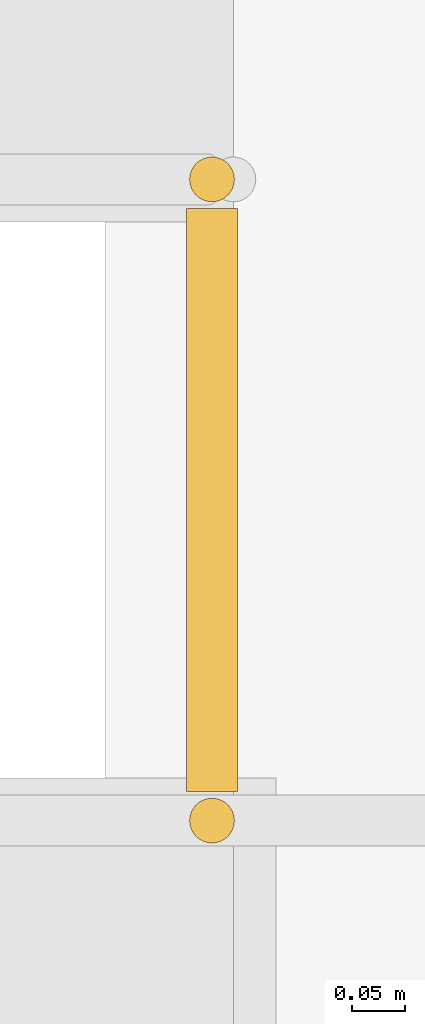
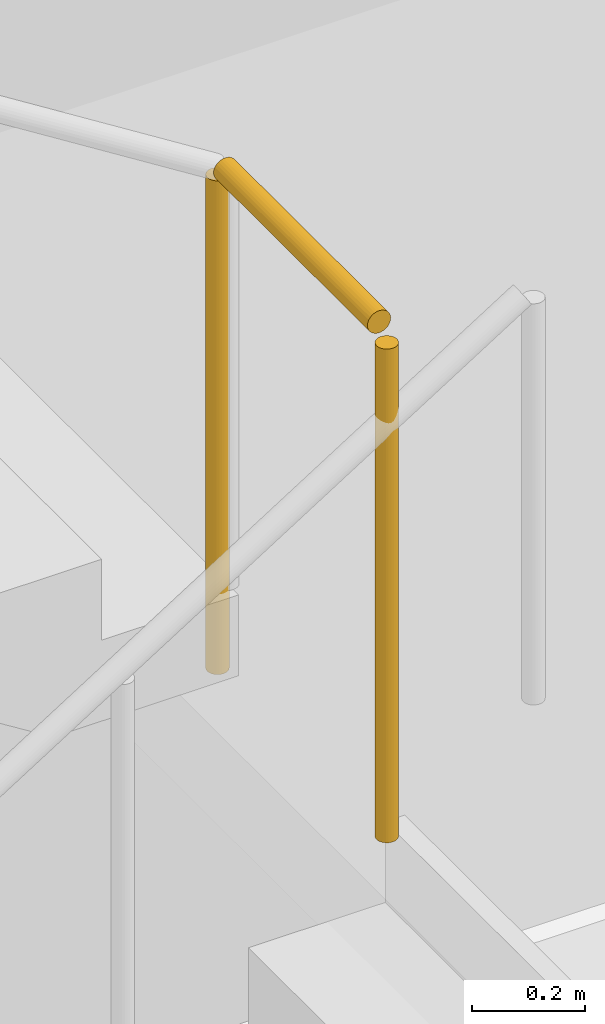
# One storey, part 133 of 138: 1 railing.
"""IFC4 building model written with IfcOpenShell, lengths in metres."""

from ifc_helpers import new_model, si_unit, direction, frame, origin, origin_2d, place, context, subcontext, project, spatial, circle, extrude, material, type_object, element, save


model = new_model("IFC4")

# Units and contexts
model_context = context("Model", 3, precision=1e-05, world=origin(), true_north=direction((0.0, 1.0)))
body_context = subcontext(model_context, "Body", "Model", "MODEL_VIEW")
ifc_project = project(units=[si_unit("LENGTHUNIT", "METRE"), si_unit("AREAUNIT", "SQUARE_METRE"), si_unit("VOLUMEUNIT", "CUBIC_METRE"), si_unit("PLANEANGLEUNIT", "RADIAN"), si_unit("MASSUNIT", "GRAM", prefix="KILO"), si_unit("THERMODYNAMICTEMPERATUREUNIT", "KELVIN"), si_unit("POWERUNIT", "WATT")], contexts=[model_context])

# Site, building, storey
site_placement = place(None, origin())
site = spatial("IfcSite", under=ifc_project, at=site_placement, CompositionType="ELEMENT")
building_placement = place(site_placement, origin())
building = spatial("IfcBuilding", under=site, at=building_placement, Name="Darbajah Civic Hall", CompositionType="ELEMENT")
storey_placement = place(building_placement, frame((0.0, 0.0, 9.60009765625)))
storey = spatial("IfcBuildingStorey", under=building, at=storey_placement, Name="L02", CompositionType="ELEMENT", Elevation=9.60009765625)

# Railing
ifc_material = material(Name="Brushed Bronze and Laminated Safety Glass", Category="glass")
railing_type = type_object("IfcRailingType", Name="Interior Guard Balustrade", PredefinedType="BALUSTRADE", material=ifc_material)
railing_placement = place(storey_placement, frame((82.5400390625, 64.39990234375, 2.099853515625)))
element("IfcRailing", 1, at=railing_placement, inside=storey, type_object=railing_type, Name="ST03 L02 landing well guard", PredefinedType="BALUSTRADE", context=body_context, shape_type="SweptSolid", body=[
    extrude(circle(Radius=0.02392578125, at=origin_2d()), frame((0.0, 0.02734375, 1.09619140625), z_axis=(0.0, 1.0, 0.0), x_axis=(-1.0, 0.0, 0.0)), (0.0, 0.0, 1.0), 0.54541015625),
    extrude(circle(Radius=0.02099609375, at=origin_2d()), origin(), (0.0, 0.0, 1.0), 1.068115234375),
    extrude(circle(Radius=0.02099609375, at=origin_2d()), frame((0.0, 0.60009765625, 0.0)), (0.0, 0.0, 1.0), 1.068115234375),
])

save(model, "model.ifc")
